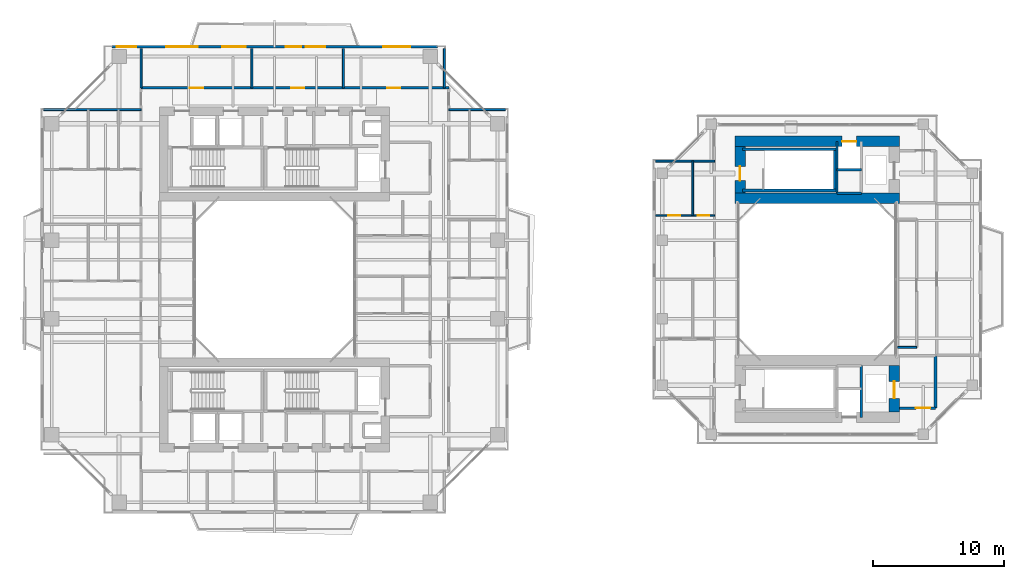
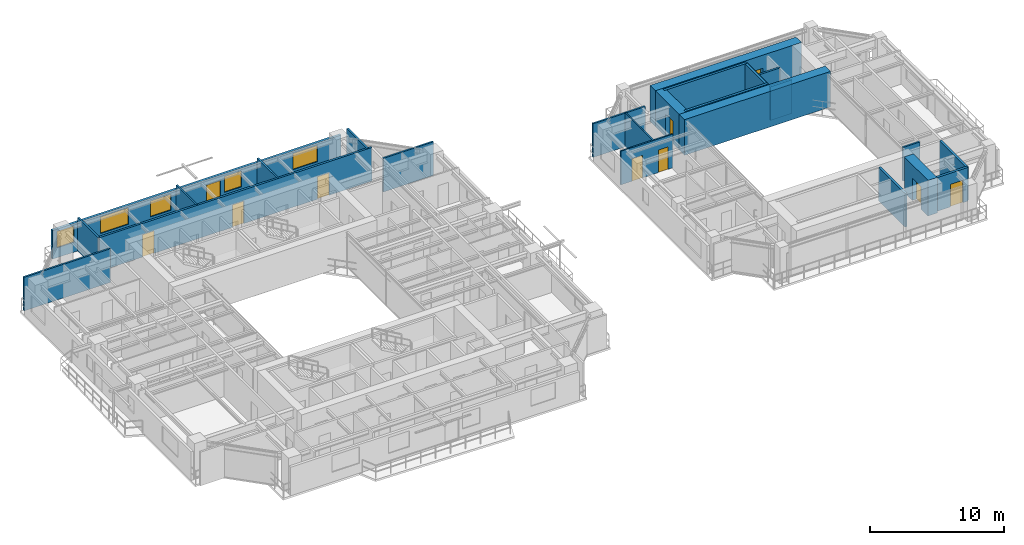
# One storey, part 18 of 24: 25 walls, 10 doors, 5 windows, 15 openings.
"""IFC4 building model written with IfcOpenShell, lengths in metres."""

import ifcopenshell
import ifcopenshell.guid

model = None  # the IFC model being written
_history = None  # IfcOwnerHistory: only IFC2X3 demands one
_inside = {}  # id of a spatial element -> (the spatial element, [elements in it])
_under = {}  # id of a project, library or spatial element -> (it, [spatial elements below it])
_declared = {}  # id of a project -> (the project, [libraries it declares])
_typed = {}  # id of a type object -> (the type object, [elements of that type])
_made_of = {}  # id of a material, layer set ... -> (it, [elements and type objects made of it])


def new_model(schema):
    """Start an empty IFC model of exactly this schema.

    Asked for "IFC4X3", IfcOpenShell would pick the latest addendum, in which some entities
    have other attributes; the version numbers below select the first issue.
    IFC2X3 requires an IfcOwnerHistory on every rooted entity: one is made here for all.
    """
    global model, _history
    if schema == "IFC4X3":
        model = ifcopenshell.file(schema_version=(4, 3, 0, 0))
    else:
        model = ifcopenshell.file(schema=schema)
    _inside.clear()
    _under.clear()
    _declared.clear()
    _typed.clear()
    _made_of.clear()
    _history = None
    if model.schema == "IFC2X3":
        org = make("IfcOrganization", Name="unknown")
        user = make(
            "IfcPersonAndOrganization",
            ThePerson=make("IfcPerson", FamilyName="unknown"),
            TheOrganization=org,
        )
        app = make(
            "IfcApplication",
            ApplicationDeveloper=org,
            Version="unknown",
            ApplicationFullName="unknown",
            ApplicationIdentifier="unknown",
        )
        _history = make(
            "IfcOwnerHistory",
            OwningUser=user,
            OwningApplication=app,
            ChangeAction="ADDED",
            CreationDate=0,
        )
    return model


def make(cls, **values):
    """One entity of the class cls with the attributes given. An attribute that is None is left unset."""
    return model.create_entity(
        cls, **{name: value for name, value in values.items() if value is not None}
    )


def rooted(cls, **values):
    """An entity with a GlobalId (a new one), such as an element, a storey or a relation."""
    return make(cls, GlobalId=ifcopenshell.guid.new(), OwnerHistory=_history, **values)


def si_unit(unit_type, name, prefix=None):
    """IfcSIUnit, for example si_unit("LENGTHUNIT", "METRE", prefix="MILLI")."""
    return make("IfcSIUnit", UnitType=unit_type, Prefix=prefix, Name=name)


def assignment(units):
    """IfcUnitAssignment: the units of a project."""
    return None if units is None else make("IfcUnitAssignment", Units=units)


def point(xyz):
    """IfcCartesianPoint."""
    return None if xyz is None else make("IfcCartesianPoint", Coordinates=xyz)


def direction(xyz):
    """IfcDirection."""
    return None if xyz is None else make("IfcDirection", DirectionRatios=xyz)


def frame(location, z_axis=None, x_axis=None):
    """IfcAxis2Placement3D, a coordinate frame: its origin and axes. An axis left out is left unset."""
    return make(
        "IfcAxis2Placement3D",
        Location=point(location),
        Axis=direction(z_axis),
        RefDirection=direction(x_axis),
    )


def frame_2d(location, x_axis=None):
    """IfcAxis2Placement2D, a coordinate frame in the plane: its origin and x axis."""
    return make(
        "IfcAxis2Placement2D", Location=point(location), RefDirection=direction(x_axis)
    )


def origin():
    """The frame at (0, 0, 0) with its axes left unset."""
    return frame((0.0, 0.0, 0.0))


def place(relative_to, where):
    """IfcLocalPlacement: puts the frame where relative to a parent placement (None: the world)."""
    return make(
        "IfcLocalPlacement", PlacementRelTo=relative_to, RelativePlacement=where
    )


def context(
    kind, dimensions, precision=None, world=None, true_north=None, identifier=None
):
    """IfcGeometricRepresentationContext, for example the 3D "Model" context."""
    return make(
        "IfcGeometricRepresentationContext",
        ContextIdentifier=identifier,
        ContextType=kind,
        CoordinateSpaceDimension=dimensions,
        Precision=precision,
        WorldCoordinateSystem=world,
        TrueNorth=true_north,
    )


def subcontext(parent, identifier, kind, view, scale=None):
    """IfcGeometricRepresentationSubContext, for example "Body" below "Model"."""
    return make(
        "IfcGeometricRepresentationSubContext",
        ContextIdentifier=identifier,
        ContextType=kind,
        ParentContext=parent,
        TargetScale=scale,
        TargetView=view,
    )


def project(units=None, contexts=None):
    """IfcProject with its units and contexts."""
    return rooted(
        "IfcProject",
        Name="project",
        RepresentationContexts=contexts,
        UnitsInContext=assignment(units),
    )


def spatial(cls, under=None, at=None, **own):
    """A site, building, storey or space (cls), placed at a placement, below another one or the project."""
    s = rooted(cls, ObjectPlacement=at, **own)
    if under is not None:
        _under.setdefault(under.id(), (under, []))[1].append(s)
    return s


def profile(cls, at=None, kind="AREA", **sizes):
    """A parametric profile (cls). Its sizes go by their IFC names, for example OverallWidth=200.0."""
    return make(cls, ProfileType=kind, Position=at, **sizes)


def rectangle(**sizes):
    """IfcRectangleProfileDef."""
    return profile("IfcRectangleProfileDef", **sizes)


def extrude(swept, where, along, depth):
    """IfcExtrudedAreaSolid: the profile swept, set in the frame where, extruded along a direction by depth."""
    return make(
        "IfcExtrudedAreaSolid",
        SweptArea=swept,
        Position=where,
        ExtrudedDirection=direction(along),
        Depth=depth,
    )


def shape(context_of_items, identifier, shape_type, items):
    """IfcShapeRepresentation: the items that make up one representation, for example the "Body"."""
    return make(
        "IfcShapeRepresentation",
        ContextOfItems=context_of_items,
        RepresentationIdentifier=identifier,
        RepresentationType=shape_type,
        Items=items,
    )


def source(mapping_origin, context_of_items, identifier, shape_type, items):
    """IfcRepresentationMap: a shape defined once, which mapped items show again and again."""
    return make(
        "IfcRepresentationMap",
        MappingOrigin=mapping_origin,
        MappedRepresentation=shape(context_of_items, identifier, shape_type, items),
    )


def transform(
    local_origin,
    x_axis=None,
    y_axis=None,
    z_axis=None,
    scale=None,
    scale2=None,
    scale3=None,
    uniform=True,
):
    """IfcCartesianTransformationOperator3D, or its non-uniform kind. x_axis, y_axis, z_axis: its Axis1, 2, 3."""
    if uniform:
        return make(
            "IfcCartesianTransformationOperator3D",
            Axis1=direction(x_axis),
            Axis2=direction(y_axis),
            LocalOrigin=point(local_origin),
            Scale=scale,
            Axis3=direction(z_axis),
        )
    return make(
        "IfcCartesianTransformationOperator3DnonUniform",
        Axis1=direction(x_axis),
        Axis2=direction(y_axis),
        LocalOrigin=point(local_origin),
        Scale=scale,
        Axis3=direction(z_axis),
        Scale2=scale2,
        Scale3=scale3,
    )


def mapped(mapping_source, mapping_target):
    """IfcMappedItem: shows the shape of a source again, moved by a transform."""
    return make(
        "IfcMappedItem", MappingSource=mapping_source, MappingTarget=mapping_target
    )


def material(Name=None, Category=None):
    """IfcMaterial."""
    return make("IfcMaterial", Name=Name, Category=Category)


def layer(
    of_material, thickness, ventilated=None, Name=None, Category=None, Priority=None
):
    """IfcMaterialLayer: one layer of a wall or slab, of a material (None: an air gap)."""
    return make(
        "IfcMaterialLayer",
        Material=of_material,
        LayerThickness=thickness,
        IsVentilated=ventilated,
        Name=Name,
        Category=Category,
        Priority=Priority,
    )


def layer_set(layers, Name=None):
    """IfcMaterialLayerSet."""
    return make("IfcMaterialLayerSet", MaterialLayers=layers, LayerSetName=Name)


def made_of(thing, what):
    """Note that an element or type object is made of a material, layer set ...; save() writes the relation."""
    if what is not None:
        _made_of.setdefault(what.id(), (what, []))[1].append(thing)
    return thing


def type_object(cls, material=None, **own):
    """A type object (cls), such as IfcWallType, which elements share."""
    return made_of(rooted(cls, **own), material)


def element(
    cls,
    number,
    at=None,
    inside=None,
    cuts=None,
    type_object=None,
    material=None,
    context=None,
    identifier="Body",
    shape_type=None,
    held_by="IfcProductDefinitionShape",
    body=None,
    shapes=None,
    **own,
):
    """One element of the class cls, such as IfcWall. Its Tag is "e" and its number.

    at: its placement. inside: the storey or other place that contains it. cuts: it is an
    opening in that element (IfcRelVoidsElement). A single representation is given by context,
    identifier, shape_type and body (its items); several are given by shapes. held_by: the class
    of the entity that holds the representations. save() writes the other relations.
    """
    e = rooted(cls, Tag="e%d" % number, ObjectPlacement=at, **own)
    if body is not None:
        shapes = [shape(context, identifier, shape_type, body)]
    if shapes is not None:
        e.Representation = make(held_by, Representations=shapes)
    if inside is not None:
        _inside.setdefault(inside.id(), (inside, []))[1].append(e)
    if cuts is not None:
        rooted(
            "IfcRelVoidsElement", RelatingBuildingElement=cuts, RelatedOpeningElement=e
        )
    if type_object is not None:
        _typed.setdefault(type_object.id(), (type_object, []))[1].append(e)
    return made_of(e, material)


def fill(opening, filler):
    """IfcRelFillsElement: the door or window that sits in an opening."""
    return rooted(
        "IfcRelFillsElement",
        RelatingOpeningElement=opening,
        RelatedBuildingElement=filler,
    )


def aggregate(whole, parts):
    """IfcRelAggregates: a whole, such as a stair, and the parts it consists of."""
    return rooted("IfcRelAggregates", RelatingObject=whole, RelatedObjects=parts)


def save(model, path):
    """Write the relations noted so far, then the file.

    IfcRelAggregates (storeys below a building ...), IfcRelContainedInSpatialStructure (elements
    in a storey), IfcRelDefinesByType, IfcRelAssociatesMaterial and IfcRelDeclares: one each for
    every whole, place, type object, material and project.
    """
    for whole, parts in _under.values():
        aggregate(whole, parts)
    for where, things in _inside.values():
        rooted(
            "IfcRelContainedInSpatialStructure",
            RelatedElements=things,
            RelatingStructure=where,
        )
    for kind, things in _typed.values():
        rooted("IfcRelDefinesByType", RelatedObjects=things, RelatingType=kind)
    for what, things in _made_of.values():
        rooted("IfcRelAssociatesMaterial", RelatedObjects=things, RelatingMaterial=what)
    for by, libraries in _declared.values():
        rooted("IfcRelDeclares", RelatingContext=by, RelatedDefinitions=libraries)
    model.write(path)


model = new_model("IFC4")

# Units and contexts
model_context = context("Model", 3, precision=1e-05, world=origin(), true_north=direction((0.0, 1.0)))
body_context = subcontext(model_context, "Body", "Model", "MODEL_VIEW")
ifc_project = project(units=[si_unit("LENGTHUNIT", "METRE"), si_unit("AREAUNIT", "SQUARE_METRE"), si_unit("VOLUMEUNIT", "CUBIC_METRE"), si_unit("PLANEANGLEUNIT", "RADIAN"), si_unit("MASSUNIT", "GRAM", prefix="KILO"), si_unit("THERMODYNAMICTEMPERATUREUNIT", "KELVIN"), si_unit("POWERUNIT", "WATT")], contexts=[model_context])

# Site, building, storey
site_placement = place(None, origin())
site = spatial("IfcSite", under=ifc_project, at=site_placement, CompositionType="ELEMENT")
building_placement = place(site_placement, origin())
building = spatial("IfcBuilding", under=site, at=building_placement, Name="Qiaomeng Ring Towers", CompositionType="ELEMENT")
storey_placement = place(building_placement, frame((0.0, 0.0, 110.0)))
storey = spatial("IfcBuildingStorey", under=building, at=storey_placement, Name="L31", CompositionType="ELEMENT", Elevation=110.0)

# Wall, openings, windows, door
ifc_material_1 = material(Name="Precast concrete C40", Category="concrete")
ifc_layer_1 = layer(ifc_material_1, 0.219970703125, Name="Precast concrete C40")
ifc_layer_set_1 = layer_set([ifc_layer_1], Name="Precast concrete C40")
wall_type_1 = type_object("IfcWallType", Name="ARC-WL-EW2", PredefinedType="STANDARD", material=ifc_layer_set_1)
wall_1_placement = place(storey_placement, frame((6.550048828125, 40.7900390625, 0.0), z_axis=(0.0, 0.0, 1.0), x_axis=(1.0, 0.0, 0.0)))
wall_1 = element("IfcWall", 1, at=wall_1_placement, inside=storey, type_object=wall_type_1, Name="L31 Tower 1 N Exterior Wall", PredefinedType="STANDARD", context=body_context, shape_type="SweptSolid", body=[
    extrude(rectangle(XDim=24.89990234375, YDim=0.219970703125, at=frame_2d((12.449951171875, 0.0))), origin(), (0.0, 0.0, 1.0), 2.610107421875),
])
opening_1_placement = place(wall_1_placement, frame((13.300048828125, 0.0, 0.0)))
opening_1 = element("IfcOpeningElement", 2, at=opening_1_placement, cuts=wall_1, Name="Opening BD1", PredefinedType="OPENING", context=body_context, shape_type="SweptSolid", body=[
    extrude(rectangle(XDim=1.199951171875, YDim=2.10009765625, at=frame_2d((0.60009765625, 1.050048828125))), frame((0.0, 0.119873046875, 0.0), z_axis=(0.0, -1.0, 0.0), x_axis=(1.0, 0.0, 0.0)), (0.0, 0.0, 1.0), 0.239990234375),
])
opening_2_placement = place(wall_1_placement, frame((0.37255859375, 0.0, 0.89990234375)))
opening_2 = element("IfcOpeningElement", 3, at=opening_2_placement, cuts=wall_1, Name="Opening WN2", PredefinedType="OPENING", context=body_context, shape_type="SweptSolid", body=[
    extrude(rectangle(XDim=1.5, YDim=1.5, at=frame_2d((0.75, 0.75))), frame((0.0, 0.119873046875, 0.0), z_axis=(0.0, -1.0, 0.0), x_axis=(1.0, 0.0, 0.0)), (0.0, 0.0, 1.0), 0.239990234375),
])
opening_3_placement = place(wall_1_placement, frame((8.43798828125, 0.0, 0.89990234375)))
opening_3 = element("IfcOpeningElement", 4, at=opening_3_placement, cuts=wall_1, Name="Opening WN1", PredefinedType="OPENING", context=body_context, shape_type="SweptSolid", body=[
    extrude(rectangle(XDim=1.800048828125, YDim=1.449951171875, at=frame_2d((0.89990234375, 0.72509765625))), frame((0.0, 0.119873046875, 0.0), z_axis=(0.0, -1.0, 0.0), x_axis=(1.0, 0.0, 0.0)), (0.0, 0.0, 1.0), 0.239990234375),
])
opening_4_placement = place(wall_1_placement, frame((14.81298828125, 0.0, 0.89990234375)))
opening_4 = element("IfcOpeningElement", 5, at=opening_4_placement, cuts=wall_1, Name="Opening WN2", PredefinedType="OPENING", context=body_context, shape_type="SweptSolid", body=[
    extrude(rectangle(XDim=1.5, YDim=1.449951171875, at=frame_2d((0.75, 0.72509765625))), frame((0.0, 0.119873046875, 0.0), z_axis=(0.0, -1.0, 0.0), x_axis=(1.0, 0.0, 0.0)), (0.0, 0.0, 1.0), 0.239990234375),
])
opening_5_placement = place(wall_1_placement, frame((20.738037109375, 0.0, 0.89990234375)))
opening_5 = element("IfcOpeningElement", 6, at=opening_5_placement, cuts=wall_1, Name="Opening WN4", PredefinedType="OPENING", context=body_context, shape_type="SweptSolid", body=[
    extrude(rectangle(XDim=2.10009765625, YDim=1.47998046875, at=frame_2d((1.050048828125, 0.739990234375))), frame((0.0, 0.119873046875, 0.0), z_axis=(0.0, -1.0, 0.0), x_axis=(1.0, 0.0, 0.0)), (0.0, 0.0, 1.0), 0.239990234375),
])
opening_6_placement = place(wall_1_placement, frame((4.151611328125, 0.0, 0.89990234375)))
opening_6 = element("IfcOpeningElement", 7, at=opening_6_placement, cuts=wall_1, Name="Opening WN6", PredefinedType="OPENING", context=body_context, shape_type="SweptSolid", body=[
    extrude(rectangle(XDim=2.39990234375, YDim=1.5, at=frame_2d((1.199951171875, 0.75))), frame((0.0, 0.119873046875, 0.0), z_axis=(0.0, -1.0, 0.0), x_axis=(1.0, 0.0, 0.0)), (0.0, 0.0, 1.0), 0.239990234375),
])
ifc_material_2 = material(Name="Low-E dark-grey laminated double glazing", Category="glass")
window_type_1 = type_object("IfcWindowType", Name="ARC-WN-2", PartitioningType="DOUBLE_PANEL_VERTICAL", PredefinedType="WINDOW", material=ifc_material_2)
shared_shape_1 = source(origin(), body_context, "Body", "SweptSolid", [
    extrude(rectangle(XDim=1.5, YDim=1.449951171875, at=frame_2d((0.75, 0.72509765625))), frame((0.0, 0.030029296875, 0.0), z_axis=(0.0, -1.0, 0.0), x_axis=(1.0, 0.0, 0.0)), (0.0, 0.0, 1.0), 0.06005859375),
])
window_1_placement = place(opening_4_placement, origin())
window_1 = element("IfcWindow", 8, at=window_1_placement, inside=storey, type_object=window_type_1, Name="L31 Exterior Window WN2", OverallHeight=1.449951171875, OverallWidth=1.5, PartitioningType="DOUBLE_PANEL_VERTICAL", PredefinedType="WINDOW", context=body_context, shape_type="MappedRepresentation", body=[
    mapped(shared_shape_1, transform((0.0, 0.0, 0.0), x_axis=(1.0, 0.0, 0.0), y_axis=(0.0, 1.0, 0.0), z_axis=(0.0, 0.0, 1.0), scale=1.0)),
])
fill(opening_4, window_1)
window_type_2 = type_object("IfcWindowType", Name="ARC-WN-4", PartitioningType="TRIPLE_PANEL_VERTICAL", PredefinedType="WINDOW", material=ifc_material_2)
shared_shape_2 = source(origin(), body_context, "Body", "SweptSolid", [
    extrude(rectangle(XDim=2.10009765625, YDim=1.47998046875, at=frame_2d((1.050048828125, 0.739990234375))), frame((0.0, 0.030029296875, 0.0), z_axis=(0.0, -1.0, 0.0), x_axis=(1.0, 0.0, 0.0)), (0.0, 0.0, 1.0), 0.06005859375),
])
window_2_placement = place(opening_5_placement, origin())
window_2 = element("IfcWindow", 9, at=window_2_placement, inside=storey, type_object=window_type_2, Name="L31 Exterior Window WN4", OverallHeight=1.47998046875, OverallWidth=2.10009765625, PartitioningType="TRIPLE_PANEL_VERTICAL", PredefinedType="WINDOW", context=body_context, shape_type="MappedRepresentation", body=[
    mapped(shared_shape_2, transform((0.0, 0.0, 0.0), x_axis=(1.0, 0.0, 0.0), y_axis=(0.0, 1.0, 0.0), z_axis=(0.0, 0.0, 1.0), scale=1.0)),
])
fill(opening_5, window_2)
window_type_3 = type_object("IfcWindowType", Name="ARC-WN-1", PartitioningType="DOUBLE_PANEL_VERTICAL", PredefinedType="WINDOW", material=ifc_material_2)
shared_shape_3 = source(origin(), body_context, "Body", "SweptSolid", [
    extrude(rectangle(XDim=1.800048828125, YDim=1.449951171875, at=frame_2d((0.89990234375, 0.72509765625))), frame((0.0, 0.030029296875, 0.0), z_axis=(0.0, -1.0, 0.0), x_axis=(1.0, 0.0, 0.0)), (0.0, 0.0, 1.0), 0.06005859375),
])
window_3_placement = place(opening_3_placement, origin())
window_3 = element("IfcWindow", 10, at=window_3_placement, inside=storey, type_object=window_type_3, Name="L31 Exterior Window WN1", OverallHeight=1.449951171875, OverallWidth=1.800048828125, PartitioningType="DOUBLE_PANEL_VERTICAL", PredefinedType="WINDOW", context=body_context, shape_type="MappedRepresentation", body=[
    mapped(shared_shape_3, transform((0.0, 0.0, 0.0), x_axis=(1.0, 0.0, 0.0), y_axis=(0.0, 1.0, 0.0), z_axis=(0.0, 0.0, 1.0), scale=1.0)),
])
fill(opening_3, window_3)
door_type_1 = type_object("IfcDoorType", Name="ARC-DR-BD1", OperationType="NOTDEFINED", PredefinedType="DOOR", material=ifc_material_2)
shared_shape_4 = source(origin(), body_context, "Body", "SweptSolid", [
    extrude(rectangle(XDim=1.199951171875, YDim=2.10009765625, at=frame_2d((0.60009765625, 1.050048828125))), frame((0.0, 0.02490234375, 0.0), z_axis=(0.0, -1.0, 0.0), x_axis=(1.0, 0.0, 0.0)), (0.0, 0.0, 1.0), 0.050048828125),
])
door_1_placement = place(opening_1_placement, origin())
door_1 = element("IfcDoor", 11, at=door_1_placement, inside=storey, type_object=door_type_1, Name="L31 N Balcony Glazed Door", OperationType="SINGLE_SWING_LEFT", OverallHeight=2.10009765625, OverallWidth=1.199951171875, PredefinedType="DOOR", context=body_context, shape_type="MappedRepresentation", body=[
    mapped(shared_shape_4, transform((0.0, 0.0, 0.0), x_axis=(1.0, 0.0, 0.0), y_axis=(0.0, 1.0, 0.0), z_axis=(0.0, 0.0, 1.0), scale=1.0)),
])
fill(opening_1, door_1)
shared_shape_5 = source(origin(), body_context, "Body", "SweptSolid", [
    extrude(rectangle(XDim=1.5, YDim=1.5, at=frame_2d((0.75, 0.75))), frame((0.0, 0.030029296875, 0.0), z_axis=(0.0, -1.0, 0.0), x_axis=(1.0, 0.0, 0.0)), (0.0, 0.0, 1.0), 0.06005859375),
])
window_4_placement = place(opening_2_placement, origin())
window_4 = element("IfcWindow", 12, at=window_4_placement, inside=storey, type_object=window_type_1, Name="L31 Exterior Window WN6", OverallHeight=1.5, OverallWidth=1.5, PartitioningType="TRIPLE_PANEL_VERTICAL", PredefinedType="WINDOW", context=body_context, shape_type="MappedRepresentation", body=[
    mapped(shared_shape_5, transform((0.0, 0.0, 0.0), x_axis=(1.0, 0.0, 0.0), y_axis=(0.0, 1.0, 0.0), z_axis=(0.0, 0.0, 1.0), scale=1.0)),
])
fill(opening_2, window_4)
window_type_4 = type_object("IfcWindowType", Name="ARC-WN-6", PartitioningType="TRIPLE_PANEL_VERTICAL", PredefinedType="WINDOW", material=ifc_material_2)
shared_shape_6 = source(origin(), body_context, "Body", "SweptSolid", [
    extrude(rectangle(XDim=2.39990234375, YDim=1.5, at=frame_2d((1.199951171875, 0.75))), frame((0.0, 0.030029296875, 0.0), z_axis=(0.0, -1.0, 0.0), x_axis=(1.0, 0.0, 0.0)), (0.0, 0.0, 1.0), 0.06005859375),
])
window_5_placement = place(opening_6_placement, origin())
window_5 = element("IfcWindow", 13, at=window_5_placement, inside=storey, type_object=window_type_4, Name="L31 Exterior Window WN6", OverallHeight=1.5, OverallWidth=2.39990234375, PartitioningType="TRIPLE_PANEL_VERTICAL", PredefinedType="WINDOW", context=body_context, shape_type="MappedRepresentation", body=[
    mapped(shared_shape_6, transform((0.0, 0.0, 0.0), x_axis=(1.0, 0.0, 0.0), y_axis=(0.0, 1.0, 0.0), z_axis=(0.0, 0.0, 1.0), scale=1.0)),
])
fill(opening_6, window_5)

# Wall
ifc_material_3 = material(Name="Autoclaved aerated concrete block", Category="concrete")
ifc_layer_2 = layer(ifc_material_3, 0.199951171875, Name="Autoclaved aerated concrete block")
ifc_layer_set_2 = layer_set([ifc_layer_2], Name="Autoclaved aerated concrete block")
wall_type_2 = type_object("IfcWallType", Name="ARC-WL-PW1", PredefinedType="PARTITIONING", material=ifc_layer_set_2)
wall_2_placement = place(storey_placement, frame((69.550048828125, 13.14990234375, 0.0), z_axis=(0.0, 0.0, 1.0), x_axis=(0.0, 1.0, 0.0)))
element("IfcWall", 14, at=wall_2_placement, inside=storey, type_object=wall_type_2, Name="L31 Interior Wall PW1", PredefinedType="PARTITIONING", context=body_context, shape_type="SweptSolid", body=[
    extrude(rectangle(XDim=4.0, YDim=0.199951171875, at=frame_2d((2.0, 0.0))), origin(), (0.0, 0.0, 1.0), 3.070068359375),
])

# Wall, opening, door
wall_3_placement = place(storey_placement, frame((66.800048828125, 13.14990234375, 0.0), z_axis=(0.0, 0.0, 1.0), x_axis=(1.0, 0.0, 0.0)))
wall_3 = element("IfcWall", 15, at=wall_3_placement, inside=storey, type_object=wall_type_2, Name="L31 Interior Wall PW1", PredefinedType="PARTITIONING", context=body_context, shape_type="SweptSolid", body=[
    extrude(rectangle(XDim=2.75, YDim=0.199951171875, at=frame_2d((1.375, 0.0))), origin(), (0.0, 0.0, 1.0), 3.070068359375),
])
opening_7_placement = place(wall_3_placement, frame((1.25, 0.0, 0.0)))
opening_7 = element("IfcOpeningElement", 16, at=opening_7_placement, cuts=wall_3, Name="Opening FD3", PredefinedType="OPENING", context=body_context, shape_type="SweptSolid", body=[
    extrude(rectangle(XDim=1.10009765625, YDim=2.050048828125, at=frame_2d((0.550048828125, 1.02490234375))), frame((0.0, 0.10986328125, 0.0), z_axis=(0.0, -1.0, 0.0), x_axis=(1.0, 0.0, 0.0)), (0.0, 0.0, 1.0), 0.219970703125),
])
ifc_material_4 = material(Name="Galvanised steel", Category="steel")
door_type_2 = type_object("IfcDoorType", Name="ARC-DR-FD3", OperationType="NOTDEFINED", PredefinedType="DOOR", material=ifc_material_4)
shared_shape_7 = source(origin(), body_context, "Body", "SweptSolid", [
    extrude(rectangle(XDim=1.10009765625, YDim=2.050048828125, at=frame_2d((0.550048828125, 1.02490234375))), frame((0.0, 0.02490234375, 0.0), z_axis=(0.0, -1.0, 0.0), x_axis=(1.0, 0.0, 0.0)), (0.0, 0.0, 1.0), 0.050048828125),
])
door_2_placement = place(opening_7_placement, origin())
door_2 = element("IfcDoor", 17, at=door_2_placement, inside=storey, type_object=door_type_2, Name="L31 Door FD3", OperationType="SINGLE_SWING_RIGHT", OverallHeight=2.050048828125, OverallWidth=1.10009765625, PredefinedType="DOOR", context=body_context, shape_type="MappedRepresentation", body=[
    mapped(shared_shape_7, transform((0.0, 0.0, 0.0), x_axis=(1.0, 0.0, 0.0), y_axis=(0.0, 1.0, 0.0), z_axis=(0.0, 0.0, 1.0), scale=1.0)),
])
fill(opening_7, door_2)

# Wall, openings, doors
ifc_layer_3 = layer(ifc_material_3, 0.179931640625, Name="Autoclaved aerated concrete block")
ifc_layer_set_3 = layer_set([ifc_layer_3], Name="Autoclaved aerated concrete block")
wall_type_3 = type_object("IfcWallType", Name="ARC-WL-PW2", PredefinedType="PARTITIONING", material=ifc_layer_set_3)
wall_4_placement = place(storey_placement, frame((8.780029296875, 37.64990234375, 0.0), z_axis=(0.0, 0.0, 1.0), x_axis=(1.0, 0.0, 0.0)))
wall_4 = element("IfcWall", 18, at=wall_4_placement, inside=storey, type_object=wall_type_3, Name="L31 Interior Wall PW2", PredefinedType="PARTITIONING", context=body_context, shape_type="SweptSolid", body=[
    extrude(rectangle(XDim=23.5400390625, YDim=0.179931640625, at=frame_2d((11.77001953125, 0.0))), origin(), (0.0, 0.0, 1.0), 3.070068359375),
])
opening_8_placement = place(wall_4_placement, frame((3.739990234375, 0.0, 0.0)))
opening_8 = element("IfcOpeningElement", 19, at=opening_8_placement, cuts=wall_4, Name="Opening FD4", PredefinedType="OPENING", context=body_context, shape_type="SweptSolid", body=[
    extrude(rectangle(XDim=1.0, YDim=2.050048828125, at=frame_2d((0.5, 1.02490234375))), frame((0.0, 0.099853515625, 0.0), z_axis=(0.0, -1.0, 0.0), x_axis=(1.0, 0.0, 0.0)), (0.0, 0.0, 1.0), 0.199951171875),
])
opening_9_placement = place(wall_4_placement, frame((11.47509765625, 0.0, 0.0)))
opening_9 = element("IfcOpeningElement", 20, at=opening_9_placement, cuts=wall_4, Name="Opening FD4", PredefinedType="OPENING", context=body_context, shape_type="SweptSolid", body=[
    extrude(rectangle(XDim=1.0, YDim=2.050048828125, at=frame_2d((0.5, 1.02490234375))), frame((0.0, 0.099853515625, 0.0), z_axis=(0.0, -1.0, 0.0), x_axis=(1.0, 0.0, 0.0)), (0.0, 0.0, 1.0), 0.199951171875),
])
opening_10_placement = place(wall_4_placement, frame((18.8349609375, 0.0, 0.0)))
opening_10 = element("IfcOpeningElement", 21, at=opening_10_placement, cuts=wall_4, Name="Opening FD4", PredefinedType="OPENING", context=body_context, shape_type="SweptSolid", body=[
    extrude(rectangle(XDim=1.0, YDim=2.050048828125, at=frame_2d((0.5, 1.02490234375))), frame((0.0, 0.099853515625, 0.0), z_axis=(0.0, -1.0, 0.0), x_axis=(1.0, 0.0, 0.0)), (0.0, 0.0, 1.0), 0.199951171875),
])
ifc_material_5 = material(Name="Engineered fire-rated oak timber", Category="wood")
door_type_3 = type_object("IfcDoorType", Name="ARC-DR-FD4", OperationType="NOTDEFINED", PredefinedType="DOOR", material=ifc_material_5)
shared_shape_8 = source(origin(), body_context, "Body", "SweptSolid", [
    extrude(rectangle(XDim=1.0, YDim=2.050048828125, at=frame_2d((0.5, 1.02490234375))), frame((0.0, 0.02490234375, 0.0), z_axis=(0.0, -1.0, 0.0), x_axis=(1.0, 0.0, 0.0)), (0.0, 0.0, 1.0), 0.050048828125),
])
door_3_placement = place(opening_8_placement, origin())
door_3 = element("IfcDoor", 22, at=door_3_placement, inside=storey, type_object=door_type_3, Name="L31 Door FD4", OperationType="SINGLE_SWING_LEFT", OverallHeight=2.050048828125, OverallWidth=1.0, PredefinedType="DOOR", context=body_context, shape_type="MappedRepresentation", body=[
    mapped(shared_shape_8, transform((0.0, 0.0, 0.0), x_axis=(1.0, 0.0, 0.0), y_axis=(0.0, 1.0, 0.0), z_axis=(0.0, 0.0, 1.0), scale=1.0)),
])
fill(opening_8, door_3)
door_4_placement = place(opening_9_placement, origin())
door_4 = element("IfcDoor", 23, at=door_4_placement, inside=storey, type_object=door_type_3, Name="L31 Door FD4", OperationType="SINGLE_SWING_RIGHT", OverallHeight=2.050048828125, OverallWidth=1.0, PredefinedType="DOOR", context=body_context, shape_type="MappedRepresentation", body=[
    mapped(shared_shape_8, transform((0.0, 0.0, 0.0), x_axis=(1.0, 0.0, 0.0), y_axis=(0.0, 1.0, 0.0), z_axis=(0.0, 0.0, 1.0), scale=1.0)),
])
fill(opening_9, door_4)
door_5_placement = place(opening_10_placement, origin())
door_5 = element("IfcDoor", 24, at=door_5_placement, inside=storey, type_object=door_type_3, Name="L31 Door FD4", OperationType="SINGLE_SWING_LEFT", OverallHeight=2.050048828125, OverallWidth=1.0, PredefinedType="DOOR", context=body_context, shape_type="MappedRepresentation", body=[
    mapped(shared_shape_8, transform((0.0, 0.0, 0.0), x_axis=(1.0, 0.0, 0.0), y_axis=(0.0, 1.0, 0.0), z_axis=(0.0, 0.0, 1.0), scale=1.0)),
])
fill(opening_10, door_5)

# Walls
ifc_material_6 = material(Name="Gypsum fireboard steel-stud partition", Category="steel")
ifc_layer_4 = layer(ifc_material_6, 0.14990234375, Name="Gypsum fireboard steel-stud partition")
ifc_layer_set_4 = layer_set([ifc_layer_4], Name="Gypsum fireboard steel-stud partition")
wall_type_4 = type_object("IfcWallType", Name="ARC-WL-PW3", PredefinedType="PARTITIONING", material=ifc_layer_set_4)
for number, where, z_axis, x_axis, name in (
    (25, (17.260009765625, 37.64990234375, 0.0), (0.0, 0.0, 1.0), (0.0, 1.0, 0.0), "L31 Interior Wall PW3"),
    (26, (24.25, 37.64990234375, 0.0), (0.0, 0.0, 1.0), (0.0, 1.0, 0.0), "L31 Interior Wall PW3"),
    (27, (8.780029296875, 37.64990234375, 0.0), (0.0, 0.0, 1.0), (0.0, 1.0, 0.0), "L31 Interior Wall PW3"),
    (28, (31.97998046875, 37.64990234375, 0.0), (0.0, 0.0, 1.0), (0.0, 1.0, 0.0), "L31 Interior Wall PW3"),
):
    element("IfcWall", number, at=place(storey_placement, frame(where, z_axis=z_axis, x_axis=x_axis)), inside=storey, type_object=wall_type_4, Name=name, PredefinedType="PARTITIONING", context=body_context, shape_type="SweptSolid", body=[
        extrude(rectangle(XDim=3.0, YDim=0.14990234375, at=frame_2d((1.5, 0.0))), origin(), (0.0, 0.0, 1.0), 3.070068359375),
    ])
wall_5_placement = place(storey_placement, frame((1.35009765625, 35.97998046875, 0.0), z_axis=(0.0, 0.0, 1.0), x_axis=(1.0, 0.0, 0.0)))
element("IfcWall", 29, at=wall_5_placement, inside=storey, type_object=wall_type_4, Name="L31 Interior Wall PW3", PredefinedType="PARTITIONING", context=body_context, shape_type="SweptSolid", body=[
    extrude(rectangle(XDim=7.429931640625, YDim=0.14990234375, at=frame_2d((3.71484375, 0.0))), origin(), (0.0, 0.0, 1.0), 3.070068359375),
])
wall_6_placement = place(storey_placement, frame((32.320068359375, 35.97998046875, 0.0), z_axis=(0.0, 0.0, 1.0), x_axis=(1.0, 0.0, 0.0)))
element("IfcWall", 30, at=wall_6_placement, inside=storey, type_object=wall_type_4, Name="L31 Interior Wall PW3", PredefinedType="PARTITIONING", context=body_context, shape_type="SweptSolid", body=[
    extrude(rectangle(XDim=4.329833984375, YDim=0.14990234375, at=frame_2d((2.1650390625, 0.0))), origin(), (0.0, 0.0, 1.0), 3.070068359375),
])
wall_7_placement = place(storey_placement, frame((48.14990234375, 32.050048828125, 0.0), z_axis=(0.0, 0.0, 1.0), x_axis=(1.0, 0.0, 0.0)))
element("IfcWall", 31, at=wall_7_placement, inside=storey, type_object=wall_type_4, Name="L31 Interior Wall PW3", PredefinedType="PARTITIONING", context=body_context, shape_type="SweptSolid", body=[
    extrude(rectangle(XDim=4.5, YDim=0.14990234375, at=frame_2d((2.25, 0.0))), origin(), (0.0, 0.0, 1.0), 3.070068359375),
])
wall_8_placement = place(storey_placement, frame((66.64990234375, 17.800048828125, 0.0), z_axis=(0.0, 0.0, 1.0), x_axis=(1.0, 0.0, 0.0)))
element("IfcWall", 32, at=wall_8_placement, inside=storey, type_object=wall_type_4, Name="L31 Interior Wall PW3", PredefinedType="PARTITIONING", context=body_context, shape_type="SweptSolid", body=[
    extrude(rectangle(XDim=1.4501953125, YDim=0.14990234375, at=frame_2d((0.72509765625, 0.0))), origin(), (0.0, 0.0, 1.0), 3.070068359375),
])

# Wall, openings, doors
ifc_material_7 = material(Name="Moisture-resistant gypsum steel-stud partition", Category="steel")
ifc_layer_5 = layer(ifc_material_7, 0.1201171875, Name="Moisture-resistant gypsum steel-stud partition")
ifc_layer_set_5 = layer_set([ifc_layer_5], Name="Moisture-resistant gypsum steel-stud partition")
wall_type_5 = type_object("IfcWallType", Name="ARC-WL-PW4", PredefinedType="PLUMBINGWALL", material=ifc_layer_set_5)
wall_9_placement = place(storey_placement, frame((48.14990234375, 27.889892578125, 0.0), z_axis=(0.0, 0.0, 1.0), x_axis=(1.0, 0.0, 0.0)))
wall_9 = element("IfcWall", 33, at=wall_9_placement, inside=storey, type_object=wall_type_5, Name="L31 Interior Wall PW4", PredefinedType="PLUMBINGWALL", context=body_context, shape_type="SweptSolid", body=[
    extrude(rectangle(XDim=4.5, YDim=0.1201171875, at=frame_2d((2.25, 0.0))), origin(), (0.0, 0.0, 1.0), 3.070068359375),
])
opening_11_placement = place(wall_9_placement, frame((0.97509765625, 0.0, 0.0)))
opening_11 = element("IfcOpeningElement", 34, at=opening_11_placement, cuts=wall_9, Name="Opening ID1", PredefinedType="OPENING", context=body_context, shape_type="SweptSolid", body=[
    extrude(rectangle(XDim=0.89990234375, YDim=2.050048828125, at=frame_2d((0.449951171875, 1.02490234375))), frame((0.0, 0.070068359375, 0.0), z_axis=(0.0, -1.0, 0.0), x_axis=(1.0, 0.0, 0.0)), (0.0, 0.0, 1.0), 0.14013671875),
])
opening_12_placement = place(wall_9_placement, frame((3.22998046875, 0.0, 0.0)))
opening_12 = element("IfcOpeningElement", 35, at=opening_12_placement, cuts=wall_9, Name="Opening ID2", PredefinedType="OPENING", context=body_context, shape_type="SweptSolid", body=[
    extrude(rectangle(XDim=0.85009765625, YDim=2.050048828125, at=frame_2d((0.425048828125, 1.02490234375))), frame((0.0, 0.070068359375, 0.0), z_axis=(0.0, -1.0, 0.0), x_axis=(1.0, 0.0, 0.0)), (0.0, 0.0, 1.0), 0.14013671875),
])
ifc_material_8 = material(Name="Moisture-resistant engineered timber", Category="wood")
door_type_4 = type_object("IfcDoorType", Name="ARC-DR-ID2", OperationType="NOTDEFINED", PredefinedType="DOOR", material=ifc_material_8)
shared_shape_9 = source(origin(), body_context, "Body", "SweptSolid", [
    extrude(rectangle(XDim=0.85009765625, YDim=2.050048828125, at=frame_2d((0.425048828125, 1.02490234375))), frame((0.0, 0.02490234375, 0.0), z_axis=(0.0, -1.0, 0.0), x_axis=(1.0, 0.0, 0.0)), (0.0, 0.0, 1.0), 0.050048828125),
])
door_6_placement = place(opening_12_placement, origin())
door_6 = element("IfcDoor", 36, at=door_6_placement, inside=storey, type_object=door_type_4, Name="L31 Door ID2", OperationType="SINGLE_SWING_LEFT", OverallHeight=2.050048828125, OverallWidth=0.85009765625, PredefinedType="DOOR", context=body_context, shape_type="MappedRepresentation", body=[
    mapped(shared_shape_9, transform((0.0, 0.0, 0.0), x_axis=(1.0, 0.0, 0.0), y_axis=(0.0, 1.0, 0.0), z_axis=(0.0, 0.0, 1.0), scale=1.0)),
])
fill(opening_12, door_6)
ifc_material_9 = material(Name="Engineered oak timber", Category="wood")
door_type_5 = type_object("IfcDoorType", Name="ARC-DR-ID1", OperationType="NOTDEFINED", PredefinedType="DOOR", material=ifc_material_9)
shared_shape_10 = source(origin(), body_context, "Body", "SweptSolid", [
    extrude(rectangle(XDim=0.89990234375, YDim=2.050048828125, at=frame_2d((0.449951171875, 1.02490234375))), frame((0.0, 0.02490234375, 0.0), z_axis=(0.0, -1.0, 0.0), x_axis=(1.0, 0.0, 0.0)), (0.0, 0.0, 1.0), 0.050048828125),
])
door_7_placement = place(opening_11_placement, origin())
door_7 = element("IfcDoor", 37, at=door_7_placement, inside=storey, type_object=door_type_5, Name="L31 Door ID1", OperationType="SINGLE_SWING_RIGHT", OverallHeight=2.050048828125, OverallWidth=0.89990234375, PredefinedType="DOOR", context=body_context, shape_type="MappedRepresentation", body=[
    mapped(shared_shape_10, transform((0.0, 0.0, 0.0), x_axis=(1.0, 0.0, 0.0), y_axis=(0.0, 1.0, 0.0), z_axis=(0.0, 0.0, 1.0), scale=1.0)),
])
fill(opening_11, door_7)

# Walls
wall_10_placement = place(storey_placement, frame((50.97998046875, 27.889892578125, 0.0), z_axis=(0.0, 0.0, 1.0), x_axis=(0.0, 1.0, 0.0)))
element("IfcWall", 38, at=wall_10_placement, inside=storey, type_object=wall_type_5, Name="L31 Interior Wall PW4", PredefinedType="PLUMBINGWALL", context=body_context, shape_type="SweptSolid", body=[
    extrude(rectangle(XDim=4.16015625, YDim=0.1201171875, at=frame_2d((2.080078125, 0.0))), origin(), (0.0, 0.0, 1.0), 3.070068359375),
])
ifc_material_10 = material(Name="Concrete C40", Category="concrete")
ifc_layer_6 = layer(ifc_material_10, 0.199951171875, Name="Concrete C40")
ifc_layer_set_6 = layer_set([ifc_layer_6], Name="Concrete C40")
wall_type_6 = type_object("IfcWallType", Name="STR-WL-STSHAFT", PredefinedType="SHEAR", material=ifc_layer_set_6)
wall_11_placement = place(storey_placement, frame((62.02001953125, 29.60009765625, 0.0), z_axis=(0.0, 0.0, 1.0), x_axis=(0.0, 1.0, 0.0)))
element("IfcWall", 39, at=wall_11_placement, inside=storey, type_object=wall_type_6, Name="L31 Companion Lift Shaft West Wall N", PredefinedType="SHEAR", context=body_context, shape_type="SweptSolid", body=[
    extrude(rectangle(XDim=3.949951171875, YDim=0.179931640625, at=frame_2d((1.97509765625, 0.0))), origin(), (0.0, 0.0, 1.0), 3.070068359375),
])
for number, where, z_axis, x_axis, name in (
    (40, (62.02001953125, 31.3798828125, 0.0), (0.0, 0.0, 1.0), (1.0, 0.0, 0.0), "L31 Companion Lift Shaft Divider Wall N"),
    (41, (62.02001953125, 29.60009765625, 0.0), (0.0, 0.0, 1.0), (1.0, 0.0, 0.0), "L31 Companion Riser Shaft Back Wall N"),
):
    element("IfcWall", number, at=place(storey_placement, frame(where, z_axis=z_axis, x_axis=x_axis)), inside=storey, type_object=wall_type_6, Name=name, PredefinedType="SHEAR", context=body_context, shape_type="SweptSolid", body=[
        extrude(rectangle(XDim=1.85986328125, YDim=0.179931640625, at=frame_2d((0.929931640625, 0.0))), origin(), (0.0, 0.0, 1.0), 3.070068359375),
    ])
wall_12_placement = place(storey_placement, frame((63.8798828125, 12.449951171875, 0.0), z_axis=(0.0, 0.0, 1.0), x_axis=(0.0, 1.0, 0.0)))
element("IfcWall", 42, at=wall_12_placement, inside=storey, type_object=wall_type_6, Name="L31 Companion Lift Shaft East Wall S", PredefinedType="SHEAR", context=body_context, shape_type="SweptSolid", body=[
    extrude(rectangle(XDim=3.949951171875, YDim=0.179931640625, at=frame_2d((1.97509765625, 0.0))), origin(), (0.0, 0.0, 1.0), 3.070068359375),
])
for number, where, z_axis, x_axis, name in (
    (43, (54.800048828125, 29.800048828125, 0.0), (0.0, 0.0, 1.0), (1.0, 0.0, 0.0), "L31 Stair ST5 South Shaft Shear Wall"),
    (44, (54.800048828125, 32.93994140625, 0.0), (0.0, 0.0, 1.0), (1.0, 0.0, 0.0), "L31 Stair ST5 North Shaft Shear Wall"),
):
    element("IfcWall", number, at=place(storey_placement, frame(where, z_axis=z_axis, x_axis=x_axis)), inside=storey, type_object=wall_type_6, Name=name, PredefinedType="SHEAR", context=body_context, shape_type="SweptSolid", body=[
        extrude(rectangle(XDim=7.14990234375, YDim=0.199951171875, at=frame_2d((3.574951171875, 0.0))), origin(), (0.0, 0.0, 1.0), 3.25),
    ])
wall_13_placement = place(storey_placement, frame((61.85009765625, 29.89990234375, 0.0), z_axis=(0.0, 0.0, 1.0), x_axis=(0.0, 1.0, 0.0)))
element("IfcWall", 45, at=wall_13_placement, inside=storey, type_object=wall_type_6, Name="L31 Stair ST5 East Shaft Shear Wall", PredefinedType="SHEAR", context=body_context, shape_type="SweptSolid", body=[
    extrude(rectangle(XDim=2.940185546875, YDim=0.199951171875, at=frame_2d((1.47021484375, 0.0))), origin(), (0.0, 0.0, 1.0), 3.25),
])
ifc_material_11 = material(Name="Concrete C60", Category="concrete")
ifc_layer_7 = layer(ifc_material_11, 0.800048828125, Name="Concrete C60")
ifc_layer_set_7 = layer_set([ifc_layer_7], Name="Concrete C60")
wall_type_7 = type_object("IfcWallType", Name="STR-WL-SW1", PredefinedType="SHEAR", material=ifc_layer_set_7)
wall_14_placement = place(storey_placement, frame((54.199951171875, 29.199951171875, 0.0), z_axis=(0.0, 0.0, 1.0), x_axis=(1.0, 0.0, 0.0)))
element("IfcWall", 46, at=wall_14_placement, inside=storey, type_object=wall_type_7, Name="L31 T2NC south core shear wall", PredefinedType="SHEAR", context=body_context, shape_type="SweptSolid", body=[
    extrude(rectangle(XDim=12.60009765625, YDim=0.800048828125, at=frame_2d((6.300048828125, 0.0))), origin(), (0.0, 0.0, 1.0), 3.25),
])

# Wall, opening, door
wall_15_placement = place(storey_placement, frame((54.199951171875, 33.550048828125, 0.0), z_axis=(0.0, 0.0, 1.0), x_axis=(1.0, 0.0, 0.0)))
wall_15 = element("IfcWall", 47, at=wall_15_placement, inside=storey, type_object=wall_type_7, Name="L31 T2NC north core shear wall", PredefinedType="SHEAR", context=body_context, shape_type="SweptSolid", body=[
    extrude(rectangle(XDim=12.60009765625, YDim=0.800048828125, at=frame_2d((6.300048828125, 0.0))), origin(), (0.0, 0.0, 1.0), 3.25),
])
opening_13_placement = place(wall_15_placement, frame((8.199951171875, 0.0, 0.0)))
opening_13 = element("IfcOpeningElement", 48, at=opening_13_placement, cuts=wall_15, Name="Opening LD1", PredefinedType="OPENING", context=body_context, shape_type="SweptSolid", body=[
    extrude(rectangle(XDim=1.10009765625, YDim=2.050048828125, at=frame_2d((0.550048828125, 1.02490234375))), frame((0.0, 0.409912109375, 0.0), z_axis=(0.0, -1.0, 0.0), x_axis=(1.0, 0.0, 0.0)), (0.0, 0.0, 1.0), 0.820068359375),
])
ifc_material_12 = material(Name="Stainless steel 316", Category="steel")
door_type_6 = type_object("IfcDoorType", Name="ARC-DR-LD1", OperationType="NOTDEFINED", PredefinedType="DOOR", material=ifc_material_12)
door_8_placement = place(opening_13_placement, origin())
door_8 = element("IfcDoor", 49, at=door_8_placement, inside=storey, type_object=door_type_6, Name="L31 Companion Lift LP7 Landing Door", OperationType="SLIDING_TO_LEFT", OverallHeight=2.050048828125, OverallWidth=1.10009765625, PredefinedType="DOOR", context=body_context, shape_type="MappedRepresentation", body=[
    mapped(shared_shape_7, transform((0.0, 0.0, 0.0), x_axis=(1.0, 0.0, 0.0), y_axis=(0.0, 1.0, 0.0), z_axis=(0.0, 0.0, 1.0), scale=1.0)),
])
fill(opening_13, door_8)

wall_16_placement = place(storey_placement, frame((54.60009765625, 29.60009765625, 0.0), z_axis=(0.0, 0.0, 1.0), x_axis=(0.0, 1.0, 0.0)))
wall_16 = element("IfcWall", 50, at=wall_16_placement, inside=storey, type_object=wall_type_7, Name="L31 T2NC west core shear wall", PredefinedType="SHEAR", context=body_context, shape_type="SweptSolid", body=[
    extrude(rectangle(XDim=3.5498046875, YDim=0.800048828125, at=frame_2d((1.77490234375, 0.0))), origin(), (0.0, 0.0, 1.0), 3.25),
])
opening_14_placement = place(wall_16_placement, frame((0.949951171875, 0.0, 0.0)))
opening_14 = element("IfcOpeningElement", 51, at=opening_14_placement, cuts=wall_16, Name="Opening FD3", PredefinedType="OPENING", context=body_context, shape_type="SweptSolid", body=[
    extrude(rectangle(XDim=1.10009765625, YDim=2.050048828125, at=frame_2d((0.550048828125, 1.02490234375))), frame((0.0, 0.409912109375, 0.0), z_axis=(0.0, -1.0, 0.0), x_axis=(1.0, 0.0, 0.0)), (0.0, 0.0, 1.0), 0.820068359375),
])
door_9_placement = place(opening_14_placement, origin())
door_9 = element("IfcDoor", 52, at=door_9_placement, inside=storey, type_object=door_type_2, Name="L31 Stair ST5 Exit Door", OperationType="SINGLE_SWING_LEFT", OverallHeight=2.050048828125, OverallWidth=1.10009765625, PredefinedType="DOOR", context=body_context, shape_type="MappedRepresentation", body=[
    mapped(shared_shape_7, transform((0.0, 0.0, 0.0), x_axis=(1.0, 0.0, 0.0), y_axis=(0.0, 1.0, 0.0), z_axis=(0.0, 0.0, 1.0), scale=1.0)),
])
fill(opening_14, door_9)

wall_17_placement = place(storey_placement, frame((66.39990234375, 12.85009765625, 0.0), z_axis=(0.0, 0.0, 1.0), x_axis=(0.0, 1.0, 0.0)))
wall_17 = element("IfcWall", 53, at=wall_17_placement, inside=storey, type_object=wall_type_7, Name="L31 T2SC east core shear wall", PredefinedType="SHEAR", context=body_context, shape_type="SweptSolid", body=[
    extrude(rectangle(XDim=3.5498046875, YDim=0.800048828125, at=frame_2d((1.77490234375, 0.0))), origin(), (0.0, 0.0, 1.0), 3.25),
])
opening_15_placement = place(wall_17_placement, frame((1.050048828125, 0.0, 0.0)))
opening_15 = element("IfcOpeningElement", 54, at=opening_15_placement, cuts=wall_17, Name="Opening LD2", PredefinedType="OPENING", context=body_context, shape_type="SweptSolid", body=[
    extrude(rectangle(XDim=1.300048828125, YDim=2.050048828125, at=frame_2d((0.64990234375, 1.02490234375))), frame((0.0, 0.409912109375, 0.0), z_axis=(0.0, -1.0, 0.0), x_axis=(1.0, 0.0, 0.0)), (0.0, 0.0, 1.0), 0.820068359375),
])
door_type_7 = type_object("IfcDoorType", Name="ARC-DR-LD2", OperationType="NOTDEFINED", PredefinedType="DOOR", material=ifc_material_12)
shared_shape_11 = source(origin(), body_context, "Body", "SweptSolid", [
    extrude(rectangle(XDim=1.300048828125, YDim=2.050048828125, at=frame_2d((0.64990234375, 1.02490234375))), frame((0.0, 0.02490234375, 0.0), z_axis=(0.0, -1.0, 0.0), x_axis=(1.0, 0.0, 0.0)), (0.0, 0.0, 1.0), 0.050048828125),
])
door_10_placement = place(opening_15_placement, origin())
door_10 = element("IfcDoor", 55, at=door_10_placement, inside=storey, type_object=door_type_7, Name="L31 Firefighting Lift FL4 Landing Door", OperationType="SLIDING_TO_RIGHT", OverallHeight=2.050048828125, OverallWidth=1.300048828125, PredefinedType="DOOR", context=body_context, shape_type="MappedRepresentation", body=[
    mapped(shared_shape_11, transform((0.0, 0.0, 0.0), x_axis=(1.0, 0.0, 0.0), y_axis=(0.0, 1.0, 0.0), z_axis=(0.0, 0.0, 1.0), scale=1.0)),
])
fill(opening_15, door_10)

save(model, "model.ifc")
